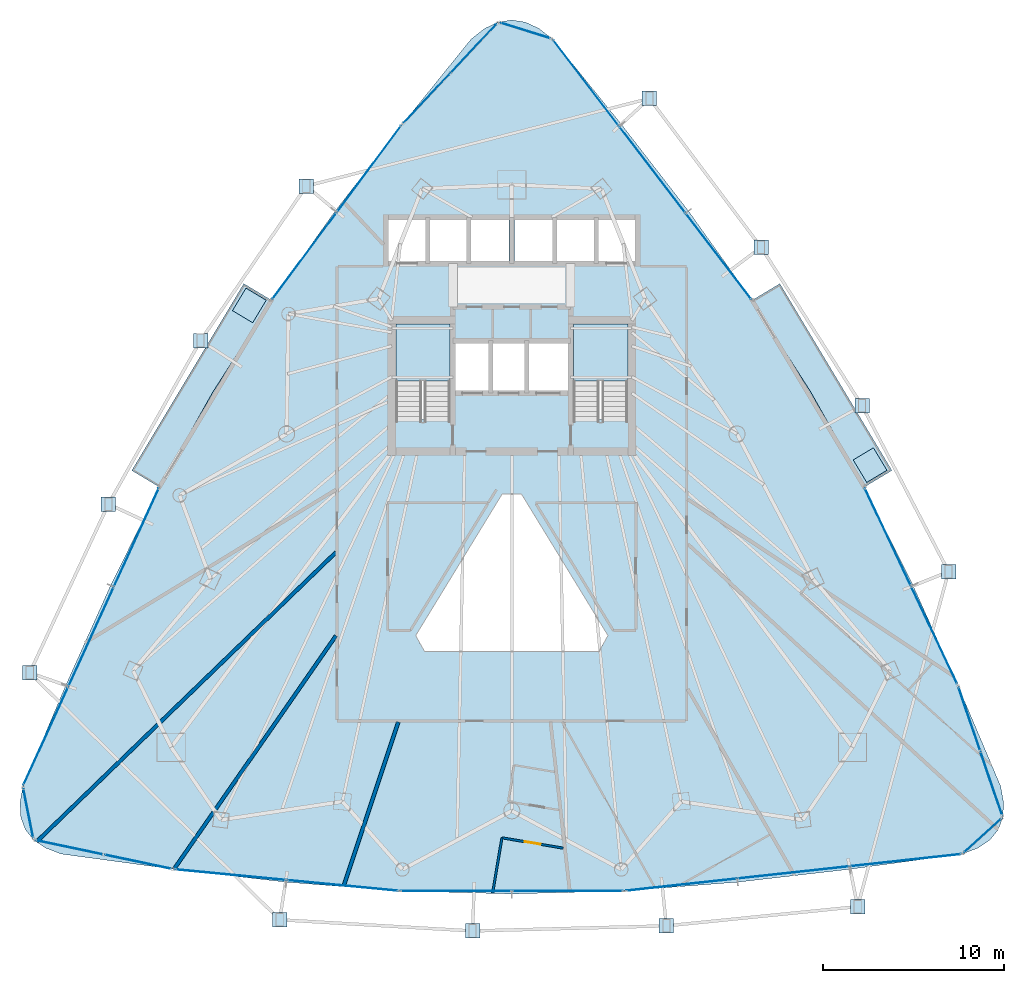
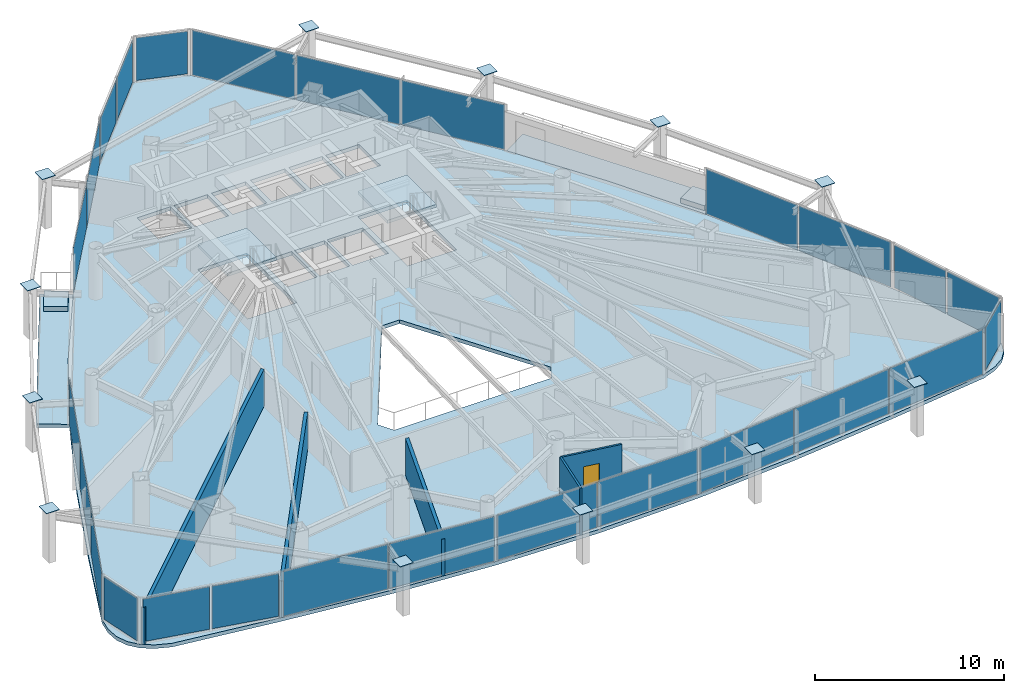
# One storey, part 27 of 33: 38 plates, 7 slabs, 5 walls, 1 door, 1 opening, 15 elements without a shape of their own.
"""IFC4 building model written with IfcOpenShell, lengths in metres."""

from ifc_helpers import new_model, si_unit, direction, frame, frame_2d, origin, origin_2d, place, context, subcontext, project, spatial, polyline, rectangle, outline, extrude, material, layer, layer_set, type_object, element, fill, aggregate, save


model = new_model("IFC4")

# Units and contexts
model_context = context("Model", 3, precision=1e-05, world=origin(), true_north=direction((0.0, 1.0)))
body_context = subcontext(model_context, "Body", "Model", "MODEL_VIEW")
ifc_project = project(units=[si_unit("LENGTHUNIT", "METRE"), si_unit("AREAUNIT", "SQUARE_METRE"), si_unit("VOLUMEUNIT", "CUBIC_METRE"), si_unit("PLANEANGLEUNIT", "RADIAN"), si_unit("MASSUNIT", "GRAM", prefix="KILO")], contexts=[model_context])

# Site, building, storey
site_placement = place(None, origin())
site = spatial("IfcSite", under=ifc_project, at=site_placement, CompositionType="ELEMENT")
building_placement = place(site_placement, origin())
building = spatial("IfcBuilding", under=site, at=building_placement, Name="Orvanel Arch Residences", CompositionType="ELEMENT")
storey_placement = place(building_placement, frame((0.0, 0.0, 93.949951171875)))
storey = spatial("IfcBuildingStorey", under=building, at=storey_placement, Name="L26", CompositionType="ELEMENT", Elevation=93.949951171875)

# Plates
ifc_material_1 = material(Name="Structural steel AS/NZS 3678 Grade 350", Category="steel")
ifc_layer_1 = layer(ifc_material_1, 0.031982421875)
ifc_layer_set_1 = layer_set([ifc_layer_1], Name="Structural steel AS/NZS 3678 Grade 350")
plate_type_1 = type_object("IfcPlateType", Name="PL-CAP-32", PredefinedType="SHEET", material=ifc_layer_set_1)
for number, where, z_axis, x_axis, name in (
    (1, (21.658935546875, 41.327880859375, 3.2841796875), (0.0, 0.0, 1.0), (1.0, 0.0, 0.0), "L26 hollow member end cap plate"),
    (2, (15.822998046875, 32.802001953125, 3.2841796875), (0.0, 0.0, 1.0), (1.0, 0.0, 0.0), "L26 hollow member end cap plate"),
    (3, (10.735107421875, 23.77099609375, 3.2841796875), (0.0, 0.0, 1.0), (1.0, 0.0, 0.0), "L26 hollow member end cap plate"),
    (4, (6.39111328125, 14.465087890625, 3.2841796875), (0.0, 0.0, 1.0), (1.0, 0.0, 0.0), "L26 hollow member end cap plate"),
    (5, (20.18701171875, 0.830078125, 3.2841796875), (0.0, 0.0, 1.0), (1.0, 0.0, 0.0), "L26 hollow member end cap plate"),
    (6, (30.8369140625, 0.2119140625, 3.2841796875), (0.0, 0.0, 1.0), (1.0, 0.0, 0.0), "L26 hollow member end cap plate"),
    (7, (41.532958984375, 0.493896484375, 3.2841796875), (0.0, 0.0, 1.0), (1.0, 0.0, 0.0), "L26 hollow member end cap plate"),
    (8, (52.089111328125, 1.554931640625, 3.2841796875), (0.0, 0.0, 1.0), (1.0, 0.0, 0.0), "L26 hollow member end cap plate"),
    (9, (57.10791015625, 20.0458984375, 3.2841796875), (0.0, 0.0, 1.0), (1.0, 0.0, 0.0), "L26 hollow member end cap plate"),
    (10, (52.3330078125, 29.2080078125, 3.2841796875), (0.0, 0.0, 1.0), (1.0, 0.0, 0.0), "L26 hollow member end cap plate"),
    (11, (46.760986328125, 37.947998046875, 3.2841796875), (0.0, 0.0, 1.0), (1.0, 0.0, 0.0), "L26 hollow member end cap plate"),
    (12, (40.595947265625, 46.162109375, 3.2841796875), (0.0, 0.0, 1.0), (1.0, 0.0, 0.0), "L26 hollow member end cap plate"),
):
    element("IfcPlate", number, at=place(storey_placement, frame(where, z_axis=z_axis, x_axis=x_axis)), inside=storey, type_object=plate_type_1, Name=name, PredefinedType="SHEET", context=body_context, shape_type="SweptSolid", body=[
        extrude(rectangle(XDim=0.800048828125, YDim=0.800048828125, at=origin_2d()), origin(), (0.0, 0.0, 1.0), 0.031982421875),
    ])

# Curtain wall, plates
ifc_material_2 = material(Name="Bronze-anodised aluminium AA6063-T6", Category="aluminium")
ifc_layer_2 = layer(ifc_material_2, 0.179931640625)
ifc_layer_set_2 = layer_set([ifc_layer_2], Name="Bronze-anodised aluminium AA6063-T6")
curtain_wall_type_1 = type_object("IfcCurtainWallType", Name="CW2-LOW-SYS", PredefinedType="NOTDEFINED", material=ifc_layer_set_2)
curtain_wall_1_placement = place(storey_placement, origin())
curtain_wall_1 = element("IfcCurtainWall", 13, at=curtain_wall_1_placement, inside=storey, type_object=curtain_wall_type_1, Name="L26 CW2-LOW-SYS Unitised Curtain Wall", PredefinedType="NOTDEFINED")
ifc_material_3 = material(Name="Double-glazed solar-control low-E safety glass", Category="glass")
ifc_layer_3 = layer(ifc_material_3, 0.028076171875)
ifc_layer_set_3 = layer_set([ifc_layer_3], Name="Double-glazed solar-control low-E safety glass")
plate_type_2 = type_object("IfcPlateType", Name="PNL-GLZ-28", PredefinedType="CURTAIN_PANEL", material=ifc_layer_set_3)
plate_1_placement = place(storey_placement, frame((25.123291015625, 42.276123046875, 0.06005859375), z_axis=(0.0, 0.0, 1.0), x_axis=(-0.596527283959, -0.802592798057, 0.0)))
plate_1 = element("IfcPlate", 14, at=plate_1_placement, type_object=plate_type_2, Name="CW-S2 panel 1.1", PredefinedType="CURTAIN_PANEL", context=body_context, shape_type="SweptSolid", body=[
    extrude(rectangle(XDim=5.917236328125, YDim=0.028076171875, at=origin_2d()), origin(), (0.0, 0.0, 1.0), 2.89990234375),
])
plate_2_placement = place(storey_placement, frame((21.5517578125, 37.470703125, 0.06005859375), z_axis=(0.0, 0.0, 1.0), x_axis=(-0.596527283959, -0.802592798057, 0.0)))
plate_2 = element("IfcPlate", 15, at=plate_2_placement, type_object=plate_type_2, Name="CW-S2 panel 2.1", PredefinedType="CURTAIN_PANEL", context=body_context, shape_type="SweptSolid", body=[
    extrude(rectangle(XDim=5.917236328125, YDim=0.028076171875, at=origin_2d()), origin(), (0.0, 0.0, 1.0), 2.89990234375),
])
aggregate(curtain_wall_1, [plate_1, plate_2])

curtain_wall_2_placement = place(storey_placement, origin())
curtain_wall_2 = element("IfcCurtainWall", 16, at=curtain_wall_2_placement, inside=storey, type_object=curtain_wall_type_1, Name="L26 CW2-LOW-SYS Unitised Curtain Wall", PredefinedType="NOTDEFINED")
plate_3_placement = place(storey_placement, frame((12.27880859375, 21.931396484375, 0.06005859375), z_axis=(0.0, 0.0, 1.0), x_axis=(-0.414996360739, -0.909823071027, 0.0)))
plate_3 = element("IfcPlate", 17, at=plate_3_placement, type_object=plate_type_2, Name="CW-S2 panel 1.1", PredefinedType="CURTAIN_PANEL", context=body_context, shape_type="SweptSolid", body=[
    extrude(rectangle(XDim=5.932861328125, YDim=0.028076171875, at=origin_2d()), origin(), (0.0, 0.0, 1.0), 2.89990234375),
])
plate_4_placement = place(storey_placement, frame((9.780517578125, 16.4541015625, 0.06005859375), z_axis=(0.0, 0.0, 1.0), x_axis=(-0.414996360739, -0.909823071027, 0.0)))
plate_4 = element("IfcPlate", 18, at=plate_4_placement, type_object=plate_type_2, Name="CW-S2 panel 2.1", PredefinedType="CURTAIN_PANEL", context=body_context, shape_type="SweptSolid", body=[
    extrude(rectangle(XDim=5.9677734375, YDim=0.028076171875, at=origin_2d()), origin(), (0.0, 0.0, 1.0), 2.89990234375),
])
plate_5_placement = place(storey_placement, frame((7.281982421875, 10.9765625, 0.06005859375), z_axis=(0.0, 0.0, 1.0), x_axis=(-0.414996360739, -0.909823071027, 0.0)))
plate_5 = element("IfcPlate", 19, at=plate_5_placement, type_object=plate_type_2, Name="CW-S2 panel 3.1", PredefinedType="CURTAIN_PANEL", context=body_context, shape_type="SweptSolid", body=[
    extrude(rectangle(XDim=5.932861328125, YDim=0.028076171875, at=origin_2d()), origin(), (0.0, 0.0, 1.0), 2.89990234375),
])
aggregate(curtain_wall_2, [plate_3, plate_4, plate_5])

curtain_wall_3_placement = place(storey_placement, origin())
curtain_wall_3 = element("IfcCurtainWall", 20, at=curtain_wall_3_placement, inside=storey, type_object=curtain_wall_type_1, Name="L26 CW2-LOW-SYS Unitised Curtain Wall", PredefinedType="NOTDEFINED")
plate_6_placement = place(storey_placement, frame((17.484130859375, 3.31396484375, 0.06005859375), z_axis=(0.0, 0.0, 1.0), x_axis=(0.995430633272, -0.095487456477, 0.0)))
plate_6 = element("IfcPlate", 21, at=plate_6_placement, type_object=plate_type_2, Name="CW-S2 panel 1.1", PredefinedType="CURTAIN_PANEL", context=body_context, shape_type="SweptSolid", body=[
    extrude(rectangle(XDim=6.120849609375, YDim=0.028076171875, at=origin_2d()), origin(), (0.0, 0.0, 1.0), 2.89990234375),
])
plate_7_placement = place(storey_placement, frame((23.646728515625, 2.722900390625, 0.06005859375), z_axis=(0.0, 0.0, 1.0), x_axis=(0.995430633272, -0.095487456477, 0.0)))
plate_7 = element("IfcPlate", 22, at=plate_7_placement, type_object=plate_type_2, Name="CW-S2 panel 2.1", PredefinedType="CURTAIN_PANEL", context=body_context, shape_type="SweptSolid", body=[
    extrude(rectangle(XDim=6.120849609375, YDim=0.028076171875, at=origin_2d()), origin(), (0.0, 0.0, 1.0), 2.89990234375),
])
aggregate(curtain_wall_3, [plate_6, plate_7])

curtain_wall_4_placement = place(storey_placement, origin())
curtain_wall_4 = element("IfcCurtainWall", 23, at=curtain_wall_4_placement, inside=storey, type_object=curtain_wall_type_1, Name="L26 CW2-LOW-SYS Unitised Curtain Wall", PredefinedType="NOTDEFINED")
plate_8_placement = place(storey_placement, frame((29.9189453125, 2.422119140625, 0.06005859375), z_axis=(0.0, 0.0, 1.0), x_axis=(1.0, 0.0, 0.0)))
plate_8 = element("IfcPlate", 24, at=plate_8_placement, type_object=plate_type_2, Name="CW-S2 panel 1.1", PredefinedType="CURTAIN_PANEL", context=body_context, shape_type="SweptSolid", body=[
    extrude(rectangle(XDim=6.092041015625, YDim=0.028076171875, at=origin_2d()), origin(), (0.0, 0.0, 1.0), 2.89990234375),
])
plate_9_placement = place(storey_placement, frame((36.0810546875, 2.422119140625, 0.06005859375), z_axis=(0.0, 0.0, 1.0), x_axis=(1.0, 0.0, 0.0)))
plate_9 = element("IfcPlate", 25, at=plate_9_placement, type_object=plate_type_2, Name="CW-S2 panel 2.1", PredefinedType="CURTAIN_PANEL", context=body_context, shape_type="SweptSolid", body=[
    extrude(rectangle(XDim=6.092041015625, YDim=0.028076171875, at=origin_2d()), origin(), (0.0, 0.0, 1.0), 2.89990234375),
])
aggregate(curtain_wall_4, [plate_8, plate_9])

curtain_wall_5_placement = place(storey_placement, origin())
curtain_wall_5 = element("IfcCurtainWall", 26, at=curtain_wall_5_placement, inside=storey, type_object=curtain_wall_type_1, Name="L26 CW2-LOW-SYS Unitised Curtain Wall", PredefinedType="NOTDEFINED")
plate_10_placement = place(storey_placement, frame((42.3564453125, 2.7646484375, 0.06005859375), z_axis=(0.0, 0.0, 1.0), x_axis=(0.994092959946, 0.108531962964, 0.0)))
plate_10 = element("IfcPlate", 27, at=plate_10_placement, type_object=plate_type_2, Name="CW-S2 panel 1.1", PredefinedType="CURTAIN_PANEL", context=body_context, shape_type="SweptSolid", body=[
    extrude(rectangle(XDim=6.135986328125, YDim=0.028076171875, at=origin_2d()), origin(), (0.0, 0.0, 1.0), 2.89990234375),
])
plate_11_placement = place(storey_placement, frame((48.54296875, 3.43994140625, 0.06005859375), z_axis=(0.0, 0.0, 1.0), x_axis=(0.994092959946, 0.108531962964, 0.0)))
plate_11 = element("IfcPlate", 28, at=plate_11_placement, type_object=plate_type_2, Name="CW-S2 panel 2.1", PredefinedType="CURTAIN_PANEL", context=body_context, shape_type="SweptSolid", body=[
    extrude(rectangle(XDim=6.1708984375, YDim=0.028076171875, at=origin_2d()), origin(), (0.0, 0.0, 1.0), 2.89990234375),
])
plate_12_placement = place(storey_placement, frame((54.7294921875, 4.115478515625, 0.06005859375), z_axis=(0.0, 0.0, 1.0), x_axis=(0.994092959946, 0.108531962964, 0.0)))
plate_12 = element("IfcPlate", 29, at=plate_12_placement, type_object=plate_type_2, Name="CW-S2 panel 3.1", PredefinedType="CURTAIN_PANEL", context=body_context, shape_type="SweptSolid", body=[
    extrude(rectangle(XDim=6.135986328125, YDim=0.028076171875, at=origin_2d()), origin(), (0.0, 0.0, 1.0), 2.89990234375),
])
aggregate(curtain_wall_5, [plate_10, plate_11, plate_12])

curtain_wall_6_placement = place(storey_placement, origin())
curtain_wall_6 = element("IfcCurtainWall", 30, at=curtain_wall_6_placement, inside=storey, type_object=curtain_wall_type_1, Name="L26 CW2-LOW-SYS Unitised Curtain Wall", PredefinedType="NOTDEFINED")
plate_13_placement = place(storey_placement, frame((56.313232421875, 16.542236328125, 0.06005859375), z_axis=(0.0, 0.0, 1.0), x_axis=(-0.427176019527, 0.904168484488, 0.0)))
plate_13 = element("IfcPlate", 31, at=plate_13_placement, type_object=plate_type_2, Name="CW-S2 panel 1.1", PredefinedType="CURTAIN_PANEL", context=body_context, shape_type="SweptSolid", body=[
    extrude(rectangle(XDim=5.9169921875, YDim=0.028076171875, at=origin_2d()), origin(), (0.0, 0.0, 1.0), 2.89990234375),
])
plate_14_placement = place(storey_placement, frame((53.755615234375, 21.95556640625, 0.06005859375), z_axis=(0.0, 0.0, 1.0), x_axis=(-0.427176019527, 0.904168484488, 0.0)))
plate_14 = element("IfcPlate", 32, at=plate_14_placement, type_object=plate_type_2, Name="CW-S2 panel 2.1", PredefinedType="CURTAIN_PANEL", context=body_context, shape_type="SweptSolid", body=[
    extrude(rectangle(XDim=5.9169921875, YDim=0.028076171875, at=origin_2d()), origin(), (0.0, 0.0, 1.0), 2.89990234375),
])
aggregate(curtain_wall_6, [plate_13, plate_14])

curtain_wall_7_placement = place(storey_placement, origin())
curtain_wall_7 = element("IfcCurtainWall", 33, at=curtain_wall_7_placement, inside=storey, type_object=curtain_wall_type_1, Name="L26 CW2-LOW-SYS Unitised Curtain Wall", PredefinedType="NOTDEFINED")
plate_15_placement = place(storey_placement, frame((44.410888671875, 37.4521484375, 0.06005859375), z_axis=(0.0, 0.0, 1.0), x_axis=(-0.607341494318, 0.794440878404, 0.0)))
plate_15 = element("IfcPlate", 34, at=plate_15_placement, type_object=plate_type_2, Name="CW-S2 panel 1.1", PredefinedType="CURTAIN_PANEL", context=body_context, shape_type="SweptSolid", body=[
    extrude(rectangle(XDim=5.932861328125, YDim=0.028076171875, at=origin_2d()), origin(), (0.0, 0.0, 1.0), 2.89990234375),
])
plate_16_placement = place(storey_placement, frame((40.75439453125, 42.235107421875, 0.06005859375), z_axis=(0.0, 0.0, 1.0), x_axis=(-0.607341494318, 0.794440878404, 0.0)))
plate_16 = element("IfcPlate", 35, at=plate_16_placement, type_object=plate_type_2, Name="CW-S2 panel 2.1", PredefinedType="CURTAIN_PANEL", context=body_context, shape_type="SweptSolid", body=[
    extrude(rectangle(XDim=5.9677734375, YDim=0.028076171875, at=origin_2d()), origin(), (0.0, 0.0, 1.0), 2.89990234375),
])
plate_17_placement = place(storey_placement, frame((37.09814453125, 47.017822265625, 0.06005859375), z_axis=(0.0, 0.0, 1.0), x_axis=(-0.607341494318, 0.794440878404, 0.0)))
plate_17 = element("IfcPlate", 36, at=plate_17_placement, type_object=plate_type_2, Name="CW-S2 panel 3.1", PredefinedType="CURTAIN_PANEL", context=body_context, shape_type="SweptSolid", body=[
    extrude(rectangle(XDim=5.932861328125, YDim=0.028076171875, at=origin_2d()), origin(), (0.0, 0.0, 1.0), 2.89990234375),
])
aggregate(curtain_wall_7, [plate_15, plate_16, plate_17])

# Curtain wall, plate
ifc_layer_4 = layer(ifc_material_2, 0.18994140625)
ifc_layer_set_4 = layer_set([ifc_layer_4], Name="Bronze-anodised aluminium AA6063-T6")
curtain_wall_type_2 = type_object("IfcCurtainWallType", Name="CW5-CRN-SYS", PredefinedType="NOTDEFINED", material=ifc_layer_set_4)
curtain_wall_8_placement = place(storey_placement, origin())
curtain_wall_8 = element("IfcCurtainWall", 37, at=curtain_wall_8_placement, inside=storey, type_object=curtain_wall_type_2, Name="L26 CW5-CRN-SYS Unitised Curtain Wall", PredefinedType="NOTDEFINED")
ifc_layer_5 = layer(ifc_material_3, 0.031982421875)
ifc_layer_set_5 = layer_set([ifc_layer_5], Name="Double-glazed solar-control low-E safety glass")
plate_type_3 = type_object("IfcPlateType", Name="PNL-GLZ-32", PredefinedType="CURTAIN_PANEL", material=ifc_layer_set_5)
plate_18_placement = place(storey_placement, frame((33.7470703125, 49.910888671875, 0.1298828125), z_axis=(0.0, 0.0, 1.0), x_axis=(-0.954893471114, 0.296948579427, 0.0)))
plate_18 = element("IfcPlate", 38, at=plate_18_placement, type_object=plate_type_3, Name="CW-S5 panel 1.1", PredefinedType="CURTAIN_PANEL", context=body_context, shape_type="SweptSolid", body=[
    extrude(rectangle(XDim=2.79150390625, YDim=0.031982421875, at=origin_2d()), origin(), (0.0, 0.0, 1.0), 2.760009765625),
])
aggregate(curtain_wall_8, [plate_18])

# Curtain wall, plates
curtain_wall_9_placement = place(storey_placement, origin())
curtain_wall_9 = element("IfcCurtainWall", 39, at=curtain_wall_9_placement, inside=storey, type_object=curtain_wall_type_2, Name="L26 CW5-CRN-SYS Unitised Curtain Wall", PredefinedType="NOTDEFINED")
plate_19_placement = place(storey_placement, frame((30.891845703125, 48.927978515625, 0.1298828125), z_axis=(0.0, 0.0, 1.0), x_axis=(-0.684660855394, -0.72886179286, 0.0)))
plate_19 = element("IfcPlate", 40, at=plate_19_placement, type_object=plate_type_3, Name="CW-S5 panel 1.1", PredefinedType="CURTAIN_PANEL", context=body_context, shape_type="SweptSolid", body=[
    extrude(rectangle(XDim=3.63232421875, YDim=0.031982421875, at=origin_2d()), origin(), (0.0, 0.0, 1.0), 2.760009765625),
])
plate_20_placement = place(storey_placement, frame((28.30224609375, 46.171142578125, 0.1298828125), z_axis=(0.0, 0.0, 1.0), x_axis=(-0.684660855394, -0.72886179286, 0.0)))
plate_20 = element("IfcPlate", 41, at=plate_20_placement, type_object=plate_type_3, Name="CW-S5 panel 2.1", PredefinedType="CURTAIN_PANEL", context=body_context, shape_type="SweptSolid", body=[
    extrude(rectangle(XDim=3.63232421875, YDim=0.031982421875, at=origin_2d()), origin(), (0.0, 0.0, 1.0), 2.760009765625),
])
aggregate(curtain_wall_9, [plate_19, plate_20])

# Curtain wall, plate
curtain_wall_10_placement = place(storey_placement, origin())
curtain_wall_10 = element("IfcCurtainWall", 42, at=curtain_wall_10_placement, inside=storey, type_object=curtain_wall_type_2, Name="L26 CW5-CRN-SYS Unitised Curtain Wall", PredefinedType="NOTDEFINED")
plate_21_placement = place(storey_placement, frame((6.30908203125, 6.717529296875, 0.1298828125), z_axis=(0.0, 0.0, 1.0), x_axis=(0.195663548547, -0.980671084396, 0.0)))
plate_21 = element("IfcPlate", 43, at=plate_21_placement, type_object=plate_type_3, Name="CW-S5 panel 1.1", PredefinedType="CURTAIN_PANEL", context=body_context, shape_type="SweptSolid", body=[
    extrude(rectangle(XDim=2.674560546875, YDim=0.031982421875, at=origin_2d()), origin(), (0.0, 0.0, 1.0), 2.760009765625),
])
aggregate(curtain_wall_10, [plate_21])

# Curtain wall, plates
curtain_wall_11_placement = place(storey_placement, origin())
curtain_wall_11 = element("IfcCurtainWall", 44, at=curtain_wall_11_placement, inside=storey, type_object=curtain_wall_type_2, Name="L26 CW5-CRN-SYS Unitised Curtain Wall", PredefinedType="NOTDEFINED")
plate_22_placement = place(storey_placement, frame((8.586669921875, 4.8232421875, 0.1298828125), z_axis=(0.0, 0.0, 1.0), x_axis=(0.97870048514, -0.205293352027, 0.0)))
plate_22 = element("IfcPlate", 45, at=plate_22_placement, type_object=plate_type_3, Name="CW-S5 panel 1.1", PredefinedType="CURTAIN_PANEL", context=body_context, shape_type="SweptSolid", body=[
    extrude(rectangle(XDim=3.7109375, YDim=0.031982421875, at=origin_2d()), origin(), (0.0, 0.0, 1.0), 2.760009765625),
])
plate_23_placement = place(storey_placement, frame((12.365234375, 4.03076171875, 0.1298828125), z_axis=(0.0, 0.0, 1.0), x_axis=(0.97870048514, -0.205293352027, 0.0)))
plate_23 = element("IfcPlate", 46, at=plate_23_placement, type_object=plate_type_3, Name="CW-S5 panel 2.1", PredefinedType="CURTAIN_PANEL", context=body_context, shape_type="SweptSolid", body=[
    extrude(rectangle(XDim=3.7109375, YDim=0.031982421875, at=origin_2d()), origin(), (0.0, 0.0, 1.0), 2.760009765625),
])
aggregate(curtain_wall_11, [plate_22, plate_23])

# Curtain wall, plate
curtain_wall_12_placement = place(storey_placement, origin())
curtain_wall_12 = element("IfcCurtainWall", 47, at=curtain_wall_12_placement, inside=storey, type_object=curtain_wall_type_2, Name="L26 CW5-CRN-SYS Unitised Curtain Wall", PredefinedType="NOTDEFINED")
plate_24_placement = place(storey_placement, frame((58.985595703125, 5.471435546875, 0.1298828125), z_axis=(0.0, 0.0, 1.0), x_axis=(0.740228882087, 0.672354967353, 0.0)))
plate_24 = element("IfcPlate", 48, at=plate_24_placement, type_object=plate_type_3, Name="CW-S5 panel 1.1", PredefinedType="CURTAIN_PANEL", context=body_context, shape_type="SweptSolid", body=[
    extrude(rectangle(XDim=2.676025390625, YDim=0.031982421875, at=origin_2d()), origin(), (0.0, 0.0, 1.0), 2.760009765625),
])
aggregate(curtain_wall_12, [plate_24])

# Curtain wall, plates
curtain_wall_13_placement = place(storey_placement, origin())
curtain_wall_13 = element("IfcCurtainWall", 49, at=curtain_wall_13_placement, inside=storey, type_object=curtain_wall_type_2, Name="L26 CW5-CRN-SYS Unitised Curtain Wall", PredefinedType="NOTDEFINED")
plate_25_placement = place(storey_placement, frame((59.46533203125, 8.355224609375, 0.1298828125), z_axis=(0.0, 0.0, 1.0), x_axis=(-0.322437742651, 0.946590672949, 0.0)))
plate_25 = element("IfcPlate", 50, at=plate_25_placement, type_object=plate_type_3, Name="CW-S5 panel 1.1", PredefinedType="CURTAIN_PANEL", context=body_context, shape_type="SweptSolid", body=[
    extrude(rectangle(XDim=3.611328125, YDim=0.031982421875, at=origin_2d()), origin(), (0.0, 0.0, 1.0), 2.760009765625),
])
plate_26_placement = place(storey_placement, frame((58.252685546875, 11.915771484375, 0.1298828125), z_axis=(0.0, 0.0, 1.0), x_axis=(-0.322437742651, 0.946590672949, 0.0)))
plate_26 = element("IfcPlate", 51, at=plate_26_placement, type_object=plate_type_3, Name="CW-S5 panel 2.1", PredefinedType="CURTAIN_PANEL", context=body_context, shape_type="SweptSolid", body=[
    extrude(rectangle(XDim=3.611328125, YDim=0.031982421875, at=origin_2d()), origin(), (0.0, 0.0, 1.0), 2.760009765625),
])
aggregate(curtain_wall_13, [plate_25, plate_26])

# Slabs
ifc_material_4 = material(Name="Concrete N40 (40 MPa)", Category="concrete")
ifc_layer_6 = layer(ifc_material_4, 0.215087890625)
ifc_layer_set_6 = layer_set([ifc_layer_6], Name="Concrete N40 (40 MPa)")
slab_type_1 = type_object("IfcSlabType", Name="SLB-BAL-215", PredefinedType="FLOOR", material=ifc_layer_set_6)
slab_1_placement = place(storey_placement, frame((0.0, 0.0, -0.21484375)))
element("IfcSlab", 52, at=slab_1_placement, inside=storey, type_object=slab_type_1, Name="L26 Cantilevered Balcony Slab Face 3", PredefinedType="FLOOR", context=body_context, shape_type="SweptSolid", body=[
    extrude(outline(polyline([(53.97900390625, 25.6279296875), (47.79296875, 35.93994140625), (46.26708984375, 35.02392578125), (49.50390625, 29.9541015625), (52.452880859375, 24.7119140625), (53.97900390625, 25.6279296875)])), origin(), (0.0, 0.0, 1.0), 0.21484375),
])
slab_2_placement = place(storey_placement, frame((0.0, 0.0, -0.21484375)))
element("IfcSlab", 53, at=slab_2_placement, inside=storey, type_object=slab_type_1, Name="L26 Cantilevered Balcony Slab Face 1", PredefinedType="FLOOR", context=body_context, shape_type="SweptSolid", body=[
    extrude(outline(polyline([(18.20703125, 35.93994140625), (12.02099609375, 25.6279296875), (13.547119140625, 24.7119140625), (16.4970703125, 29.9541015625), (19.73291015625, 35.02392578125), (18.20703125, 35.93994140625)])), origin(), (0.0, 0.0, 1.0), 0.21484375),
])

# Stair, slab
ifc_material_5 = material(Name="Precast concrete N50 (50 MPa)", Category="concrete")
stair_type = type_object("IfcStairType", Name="STR-DOG-184", PredefinedType="USERDEFINED", material=ifc_material_5)
stair_1_placement = place(storey_placement, origin())
stair_1 = element("IfcStair", 54, at=stair_1_placement, inside=storey, type_object=stair_type, Name="L26 Fire-Isolated Core Exit Stair 1", ObjectType="TWO_RETURN_STAIR", PredefinedType="USERDEFINED")
ifc_layer_7 = layer(ifc_material_4, 0.199951171875)
ifc_layer_set_7 = layer_set([ifc_layer_7], Name="Concrete N40 (40 MPa)")
slab_type_2 = type_object("IfcSlabType", Name="SLB-LND-200", PredefinedType="LANDING", material=ifc_layer_set_7)
slab_3_placement = place(storey_placement, frame((0.0, 0.0, 1.449951171875)))
slab_3 = element("IfcSlab", 55, at=slab_3_placement, type_object=slab_type_2, Name="ST-1 landing 1", PredefinedType="LANDING", context=body_context, shape_type="SweptSolid", body=[
    extrude(outline(polyline([(29.60009765625, 30.56005859375), (29.60009765625, 33.699951171875), (26.60009765625, 33.699951171875), (26.60009765625, 30.56005859375), (29.60009765625, 30.56005859375)])), origin(), (0.0, 0.0, 1.0), 0.2001953125),
])
aggregate(stair_1, [slab_3])

stair_2_placement = place(storey_placement, origin())
stair_2 = element("IfcStair", 56, at=stair_2_placement, inside=storey, type_object=stair_type, Name="L26 Fire-Isolated Core Exit Stair 2", ObjectType="TWO_RETURN_STAIR", PredefinedType="USERDEFINED")
slab_4_placement = place(storey_placement, frame((0.0, 0.0, 1.449951171875)))
slab_4 = element("IfcSlab", 57, at=slab_4_placement, type_object=slab_type_2, Name="ST-2 landing 1", PredefinedType="LANDING", context=body_context, shape_type="SweptSolid", body=[
    extrude(outline(polyline([(39.39990234375, 30.56005859375), (39.39990234375, 33.699951171875), (36.39990234375, 33.699951171875), (36.39990234375, 30.56005859375), (39.39990234375, 30.56005859375)])), origin(), (0.0, 0.0, 1.0), 0.2001953125),
])
aggregate(stair_2, [slab_4])

# Slabs
ifc_material_6 = material(Name="Structural architectural precast concrete N40 (40 MPa) planter", Category="concrete")
ifc_layer_8 = layer(ifc_material_6, 0.320068359375)
ifc_layer_set_8 = layer_set([ifc_layer_8], Name="Structural architectural precast concrete N40 (40 MPa) planter")
slab_type_3 = type_object("IfcSlabType", Name="SLB-PLN-320", PredefinedType="USERDEFINED", material=ifc_layer_set_8)
slab_5_placement = place(storey_placement, origin())
element("IfcSlab", 58, at=slab_5_placement, inside=storey, type_object=slab_type_3, Name="L26 Balcony TREE PLANTER Face 3", ObjectType="PLANTER", PredefinedType="USERDEFINED", context=body_context, shape_type="SweptSolid", body=[
    extrude(outline(polyline([(53.705078125, 25.637939453125), (52.958984375, 26.881103515625), (51.843994140625, 26.212890625), (52.590087890625, 24.968994140625), (53.705078125, 25.637939453125)])), origin(), (0.0, 0.0, 1.0), 0.320068359375),
])
slab_6_placement = place(storey_placement, origin())
element("IfcSlab", 59, at=slab_6_placement, inside=storey, type_object=slab_type_3, Name="L26 Balcony TREE PLANTER Face 1", ObjectType="PLANTER", PredefinedType="USERDEFINED", context=body_context, shape_type="SweptSolid", body=[
    extrude(outline(polyline([(18.326904296875, 35.693115234375), (17.5810546875, 34.449951171875), (18.696044921875, 33.781005859375), (19.44189453125, 35.02392578125), (18.326904296875, 35.693115234375)])), origin(), (0.0, 0.0, 1.0), 0.320068359375),
])
ifc_layer_9 = layer(ifc_material_4, 0.239990234375)
ifc_layer_set_9 = layer_set([ifc_layer_9], Name="Concrete N40 (40 MPa)")
slab_type_4 = type_object("IfcSlabType", Name="SLB-TYP-240", PredefinedType="FLOOR", material=ifc_layer_set_9)
slab_7_placement = place(storey_placement, frame((0.0, 0.0, -0.239990234375)))
element("IfcSlab", 60, at=slab_7_placement, inside=storey, type_object=slab_type_4, Name="L26 Tower Floor Slab", PredefinedType="FLOOR", context=body_context, shape_type="SweptSolid", body=[
    extrude(outline(polyline([(35.241943359375, 49.446044921875), (34.4951171875, 50.028076171875), (33.748046875, 50.3759765625), (33.0, 50.492919921875), (32.251953125, 50.3759765625), (31.5048828125, 50.028076171875), (30.758056640625, 49.446044921875), (26.94189453125, 44.722900390625), (23.236083984375, 39.93505859375), (19.73291015625, 35.02392578125), (16.4970703125, 29.9541015625), (13.547119140625, 24.7119140625), (10.864013671875, 19.31005859375), (8.384033203125, 13.785888671875), (6.013916015625, 8.196044921875), (5.85400390625, 7.281982421875), (5.89794921875, 6.485107421875), (6.14794921875, 5.803955078125), (6.60400390625, 5.239013671875), (7.264892578125, 4.7900390625), (8.131103515625, 4.4580078125), (14.347900390625, 3.614990234375), (20.56591796875, 2.89990234375), (26.782958984375, 2.422119140625), (33.0, 2.2548828125), (39.217041015625, 2.422119140625), (45.43408203125, 2.89990234375), (51.652099609375, 3.614990234375), (57.868896484375, 4.4580078125), (58.735107421875, 4.7900390625), (59.39599609375, 5.239013671875), (59.85205078125, 5.803955078125), (60.10205078125, 6.485107421875), (60.14697265625, 7.281982421875), (59.986083984375, 8.196044921875), (57.615966796875, 13.785888671875), (55.135986328125, 19.31005859375), (52.452880859375, 24.7119140625), (49.50390625, 29.9541015625), (46.26708984375, 35.02392578125), (42.763916015625, 39.93505859375), (39.05810546875, 44.722900390625), (35.241943359375, 49.446044921875)]), holes=[polyline([(26.60009765625, 28.429931640625), (26.60009765625, 33.699951171875), (29.60009765625, 33.699951171875), (29.60009765625, 28.429931640625), (26.60009765625, 28.429931640625)]), polyline([(36.39990234375, 28.429931640625), (36.39990234375, 33.699951171875), (39.39990234375, 33.699951171875), (39.39990234375, 28.429931640625), (36.39990234375, 28.429931640625)]), polyline([(29.89990234375, 32.64990234375), (31.75, 32.64990234375), (31.75, 29.949951171875), (29.89990234375, 29.949951171875), (29.89990234375, 32.64990234375)]), polyline([(31.89990234375, 32.64990234375), (33.75, 32.64990234375), (33.75, 29.949951171875), (31.89990234375, 29.949951171875), (31.89990234375, 32.64990234375)]), polyline([(33.89990234375, 32.64990234375), (36.10009765625, 32.64990234375), (36.10009765625, 29.949951171875), (33.89990234375, 29.949951171875), (33.89990234375, 32.64990234375)]), polyline([(26.199951171875, 39.449951171875), (28.25, 39.449951171875), (28.25, 37.199951171875), (26.199951171875, 37.199951171875), (26.199951171875, 39.449951171875)]), polyline([(37.75, 39.449951171875), (39.800048828125, 39.449951171875), (39.800048828125, 37.199951171875), (37.75, 37.199951171875), (37.75, 39.449951171875)]), polyline([(28.449951171875, 39.449951171875), (30.5, 39.449951171875), (30.5, 37.199951171875), (28.449951171875, 37.199951171875), (28.449951171875, 39.449951171875)]), polyline([(35.5, 39.449951171875), (37.550048828125, 39.449951171875), (37.550048828125, 37.199951171875), (35.5, 37.199951171875), (35.5, 39.449951171875)]), polyline([(30.75, 39.449951171875), (32.85009765625, 39.449951171875), (32.85009765625, 37.199951171875), (30.75, 37.199951171875), (30.75, 39.449951171875)]), polyline([(33.14990234375, 39.449951171875), (35.25, 39.449951171875), (35.25, 37.199951171875), (33.14990234375, 37.199951171875), (33.14990234375, 39.449951171875)]), polyline([(38.30810546875, 16.51708984375), (37.81396484375, 15.636962890625), (28.18603515625, 15.636962890625), (27.69189453125, 16.51708984375), (32.4619140625, 24.320068359375), (33.5380859375, 24.320068359375), (38.30810546875, 16.51708984375)])]), origin(), (0.0, 0.0, 1.0), 0.239990234375),
])

# Walls
ifc_material_7 = material(Name="Fire-rated plasterboard lined steel stud partition", Category="steel")
ifc_layer_10 = layer(ifc_material_7, 0.199951171875)
ifc_layer_set_10 = layer_set([ifc_layer_10], Name="Fire-rated plasterboard lined steel stud partition")
wall_type_1 = type_object("IfcWallType", Name="W-DEM-200", PredefinedType="PARTITIONING", material=ifc_layer_set_10)
wall_1_placement = place(storey_placement, frame((23.2900390625, 21.110107421875, 0.0), z_axis=(0.0, 0.0, 1.0), x_axis=(-0.718846392138, -0.695168946739, 0.0)))
element("IfcWall", 61, at=wall_1_placement, inside=storey, type_object=wall_type_1, Name="L26 Inter-Tenancy Acoustic Demising Wall", PredefinedType="PARTITIONING", context=body_context, shape_type="SweptSolid", body=[
    extrude(rectangle(XDim=22.97314453125, YDim=0.199951171875, at=frame_2d((11.486572265625, 0.0))), origin(), (0.0, 0.0, 1.0), 2.373046875),
])
wall_2_placement = place(storey_placement, frame((23.708984375, 2.673095703125, 0.0), z_axis=(0.0, 0.0, 1.0), x_axis=(0.316679801448, 0.948532499894, 0.0)))
element("IfcWall", 62, at=wall_2_placement, inside=storey, type_object=wall_type_1, Name="L26 Inter-Tenancy Acoustic Demising Wall", PredefinedType="PARTITIONING", context=body_context, shape_type="SweptSolid", body=[
    extrude(rectangle(XDim=9.558837890625, YDim=0.199951171875, at=frame_2d((4.779296875, 0.0))), origin(), (0.0, 0.0, 1.0), 2.373046875),
])
wall_3_placement = place(storey_placement, frame((23.2900390625, 16.5029296875, 0.0), z_axis=(0.0, 0.0, 1.0), x_axis=(-0.57002789499, -0.821625339759, 0.0)))
element("IfcWall", 63, at=wall_3_placement, inside=storey, type_object=wall_type_1, Name="L26 Inter-Tenancy Acoustic Demising Wall", PredefinedType="PARTITIONING", context=body_context, shape_type="SweptSolid", body=[
    extrude(rectangle(XDim=15.67138671875, YDim=0.199951171875, at=frame_2d((7.835693359375, 0.0))), origin(), (0.0, 0.0, 1.0), 2.373046875),
])

# Wall, opening, door
ifc_material_8 = material(Name="Acoustic plasterboard lined twin-stud partition", Category="gypsum")
ifc_layer_11 = layer(ifc_material_8, 0.1201171875)
ifc_layer_set_11 = layer_set([ifc_layer_11], Name="Acoustic plasterboard lined twin-stud partition")
wall_type_2 = type_object("IfcWallType", Name="W-WET-120", PredefinedType="PARTITIONING", material=ifc_layer_set_11)
wall_4_placement = place(storey_placement, frame((35.843994140625, 4.781005859375, 0.0), z_axis=(0.0, 0.0, 1.0), x_axis=(-0.986098591399, 0.166161271182, 0.0)))
wall_4 = element("IfcWall", 64, at=wall_4_placement, inside=storey, type_object=wall_type_2, Name="L26 Studio C Internal Partition", PredefinedType="PARTITIONING", context=body_context, shape_type="SweptSolid", body=[
    extrude(rectangle(XDim=3.436767578125, YDim=0.1201171875, at=frame_2d((1.71826171875, 0.0))), origin(), (0.0, 0.0, 1.0), 3.02001953125),
])
opening_placement = place(wall_4_placement, frame((1.278076171875, 0.0, 0.0)))
opening = element("IfcOpeningElement", 65, at=opening_placement, cuts=wall_4, Name="Opening DI-088", PredefinedType="OPENING", context=body_context, shape_type="SweptSolid", body=[
    extrude(rectangle(XDim=0.8798828125, YDim=2.10009765625, at=frame_2d((0.43994140625, 1.050048828125))), frame((0.0, 0.070068359375, 0.0), z_axis=(0.0, -1.0, 0.0), x_axis=(1.0, 0.0, 0.0)), (0.0, 0.0, 1.0), 0.14013671875),
])
ifc_material_9 = material(Name="Solid-core European oak veneer fire door leaf", Category="wood")
door_type = type_object("IfcDoorType", Name="DR-INT-880", OperationType="NOTDEFINED", PredefinedType="DOOR", material=ifc_material_9)
door_placement = place(opening_placement, origin())
door = element("IfcDoor", 66, at=door_placement, inside=storey, type_object=door_type, Name="DR-L26-C-KIT L26 Studio C Kitchenette Door", OperationType="SINGLE_SWING_LEFT", OverallHeight=2.10009765625, OverallWidth=0.8798828125, PredefinedType="DOOR", context=body_context, shape_type="SweptSolid", body=[
    extrude(rectangle(XDim=0.8798828125, YDim=2.10009765625, at=frame_2d((0.43994140625, 1.050048828125))), frame((0.0, 0.02490234375, 0.0), z_axis=(0.0, -1.0, 0.0), x_axis=(1.0, 0.0, 0.0)), (0.0, 0.0, 1.0), 0.050048828125),
])
fill(opening, door)

# Wall
wall_5_placement = place(storey_placement, frame((32.455078125, 5.35205078125, 0.0), z_axis=(0.0, 0.0, 1.0), x_axis=(-0.166328914583, -0.986070328209, 0.0)))
element("IfcWall", 67, at=wall_5_placement, inside=storey, type_object=wall_type_2, Name="L26 Studio C Internal Partition", PredefinedType="PARTITIONING", context=body_context, shape_type="SweptSolid", body=[
    extrude(rectangle(XDim=3.09716796875, YDim=0.1201171875, at=frame_2d((1.548583984375, 0.0))), origin(), (0.0, 0.0, 1.0), 3.02001953125),
])

save(model, "model.ifc")
